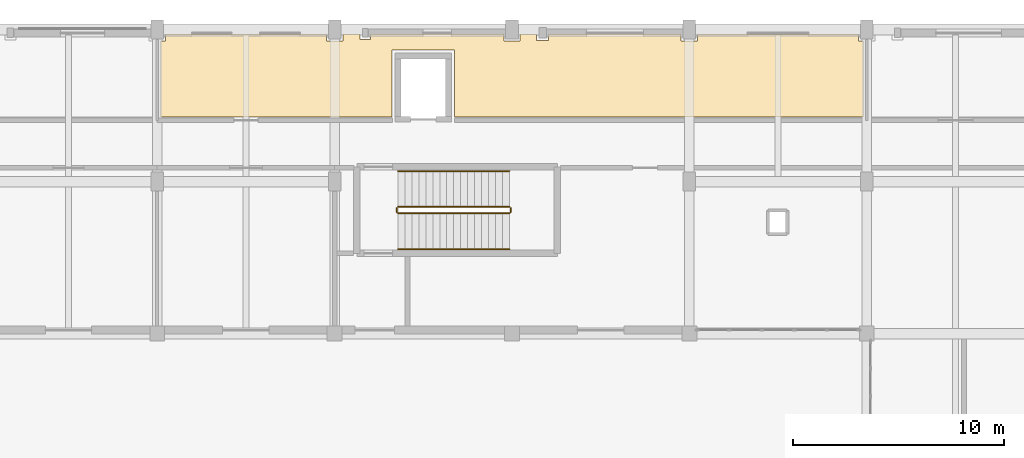
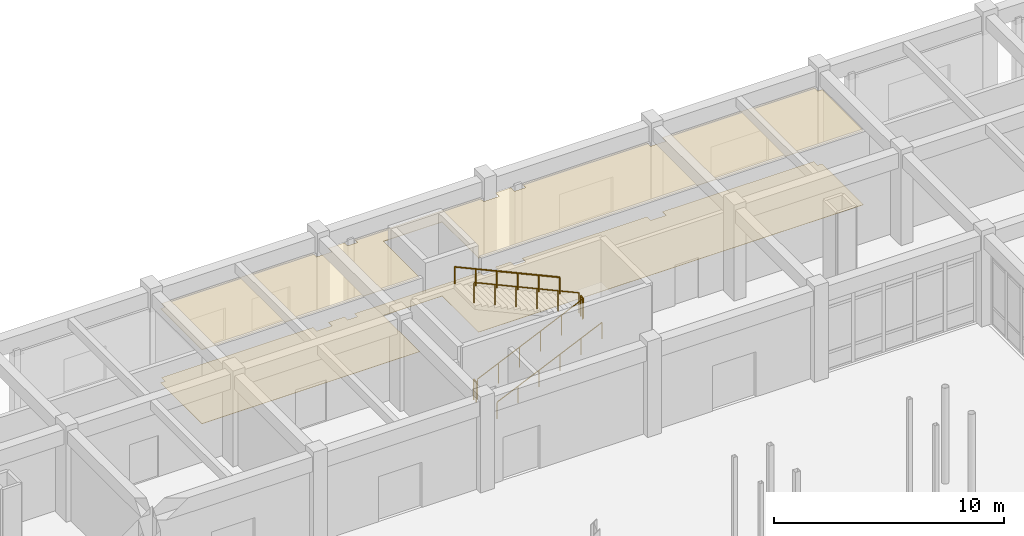
# One storey, part 112 of 121: 6 railings, 2 coverings.
"""IFC4 building model written with IfcOpenShell, lengths in metres."""

from ifc_helpers import new_model, si_unit, direction, frame, origin, origin_2d, place, context, subcontext, project, spatial, polyline, circle, outline, extrude, material, layer, layer_set, type_object, element, save


model = new_model("IFC4")

# Units and contexts
model_context = context("Model", 3, precision=1e-05, world=origin(), true_north=direction((0.0, 1.0)))
body_context = subcontext(model_context, "Body", "Model", "MODEL_VIEW")
ifc_project = project(units=[si_unit("LENGTHUNIT", "METRE"), si_unit("AREAUNIT", "SQUARE_METRE"), si_unit("VOLUMEUNIT", "CUBIC_METRE"), si_unit("PLANEANGLEUNIT", "RADIAN"), si_unit("MASSUNIT", "GRAM", prefix="KILO")], contexts=[model_context])

# Site, building, storey
site_placement = place(None, origin())
site = spatial("IfcSite", under=ifc_project, at=site_placement, CompositionType="ELEMENT")
building_placement = place(site_placement, origin())
building = spatial("IfcBuilding", under=site, at=building_placement, Name="Malvenik Polytechnic", CompositionType="ELEMENT")
storey_placement = place(building_placement, origin())
storey = spatial("IfcBuildingStorey", under=building, at=storey_placement, Name="L00", CompositionType="ELEMENT", Elevation=0.0)

# Coverings
ifc_material_1 = material(Name="Perforated mineral-fibre acoustic suspended ceiling 600x600", Category="gypsum")
ifc_layer_1 = layer(ifc_material_1, 0.02490234375)
ifc_layer_set_1 = layer_set([ifc_layer_1], Name="Perforated mineral-fibre acoustic suspended ceiling 600x600")
covering_type_1 = type_object("IfcCoveringType", Name="ARC-COV-CEIL-AC", PredefinedType="CEILING", material=ifc_layer_set_1)
covering_1_placement = place(storey_placement, frame((0.0, 0.0, 3.93505859375)))
element("IfcCovering", 1, at=covering_1_placement, inside=storey, type_object=covering_type_1, Name="Acoustic Ceiling L00 Wet Chemistry Foundations Laboratory", PredefinedType="CEILING", context=body_context, shape_type="SweptSolid", body=[
    extrude(outline(polyline([(50.010009765625, 129.06005859375), (50.7900390625, 129.06005859375), (50.7900390625, 129.3798828125), (51.60009765625, 129.3798828125), (51.60009765625, 129.1201171875), (52.10009765625, 129.1201171875), (52.10009765625, 129.3798828125), (58.409912109375, 129.3798828125), (58.409912109375, 129.06005859375), (59.18994140625, 129.06005859375), (59.18994140625, 129.3798828125), (59.965087890625, 129.3798828125), (59.965087890625, 129.070068359375), (60.534912109375, 129.070068359375), (60.534912109375, 129.3798828125), (66.81005859375, 129.3798828125), (66.81005859375, 129.06005859375), (67.590087890625, 129.06005859375), (67.590087890625, 129.3798828125), (75.2099609375, 129.3798828125), (75.2099609375, 129.06005859375), (75.43994140625, 129.06005859375), (75.43994140625, 125.4599609375), (56.080078125, 125.4599609375), (56.080078125, 128.6298828125), (53.1201171875, 128.6298828125), (53.1201171875, 125.4599609375), (42.159912109375, 125.4599609375), (42.159912109375, 129.06005859375), (42.389892578125, 129.06005859375), (42.389892578125, 129.3798828125), (50.010009765625, 129.3798828125), (50.010009765625, 129.06005859375)])), origin(), (0.0, 0.0, 1.0), 0.02490234375),
])
ifc_material_2 = material(Name="Chemical-resistant seamless laboratory epoxy resin flooring 15mm", Category="plastic")
ifc_layer_2 = layer(ifc_material_2, 0.014892578125)
ifc_layer_set_2 = layer_set([ifc_layer_2], Name="Chemical-resistant seamless laboratory epoxy resin flooring 15mm")
covering_type_2 = type_object("IfcCoveringType", Name="ARC-COV-FLR-EPX", PredefinedType="FLOORING", material=ifc_layer_set_2)
covering_2_placement = place(storey_placement, origin())
element("IfcCovering", 2, at=covering_2_placement, inside=storey, type_object=covering_type_2, Name="Floor Finish FLR-02 L00 Wet Chemistry Foundations Laboratory", PredefinedType="FLOORING", context=body_context, shape_type="SweptSolid", body=[
    extrude(outline(polyline([(50.010009765625, 129.06005859375), (50.7900390625, 129.06005859375), (50.7900390625, 129.3798828125), (51.60009765625, 129.3798828125), (51.60009765625, 129.1201171875), (52.10009765625, 129.1201171875), (52.10009765625, 129.3798828125), (58.409912109375, 129.3798828125), (58.409912109375, 129.06005859375), (59.18994140625, 129.06005859375), (59.18994140625, 129.3798828125), (59.965087890625, 129.3798828125), (59.965087890625, 129.070068359375), (60.534912109375, 129.070068359375), (60.534912109375, 129.3798828125), (66.81005859375, 129.3798828125), (66.81005859375, 129.06005859375), (67.590087890625, 129.06005859375), (67.590087890625, 129.3798828125), (75.2099609375, 129.3798828125), (75.2099609375, 129.06005859375), (75.43994140625, 129.06005859375), (75.43994140625, 125.4599609375), (56.080078125, 125.4599609375), (56.080078125, 128.6298828125), (53.1201171875, 128.6298828125), (53.1201171875, 125.4599609375), (42.159912109375, 125.4599609375), (42.159912109375, 129.06005859375), (42.389892578125, 129.06005859375), (42.389892578125, 129.3798828125), (50.010009765625, 129.3798828125), (50.010009765625, 129.06005859375)])), origin(), (0.0, 0.0, 1.0), 0.014892578125),
])

# Railings
ifc_material_3 = material(Name="Painted galvanised steel stair well balustrade 1100mm", Category="steel")
ifc_layer_3 = layer(ifc_material_3, 0.050048828125)
ifc_layer_set_3 = layer_set([ifc_layer_3], Name="Painted galvanised steel stair well balustrade 1100mm")
railing_type_1 = type_object("IfcRailingType", Name="ARC-RL-STGD", PredefinedType="BALUSTRADE", material=ifc_layer_set_3)
railing_1_placement = place(storey_placement, frame((53.39990234375, 120.89990234375, 0.14990234375)))
element("IfcRailing", 3, at=railing_1_placement, inside=storey, type_object=railing_type_1, Name="L00 ST-02 stair guard 1", PredefinedType="BALUSTRADE", context=body_context, shape_type="SweptSolid", body=[
    extrude(circle(Radius=0.02392578125, at=origin_2d()), frame((0.0, 0.0, 1.076171875), z_axis=(0.910357827898, 0.0, 0.413821972815), x_axis=(0.0, 1.0, 0.0)), (0.0, 0.0, 1.0), 5.800048828125),
    extrude(circle(Radius=0.02099609375, at=origin_2d()), origin(), (0.0, 0.0, 1.0), 1.052001953125),
    extrude(circle(Radius=0.02099609375, at=origin_2d()), frame((1.055908203125, 0.0, 0.47998046875)), (0.0, 0.0, 1.0), 1.052001953125),
    extrude(circle(Radius=0.02099609375, at=origin_2d()), frame((2.112060546875, 0.0, 0.9599609375)), (0.0, 0.0, 1.0), 1.052001953125),
    extrude(circle(Radius=0.02099609375, at=origin_2d()), frame((3.16796875, 0.0, 1.440185546875)), (0.0, 0.0, 1.0), 1.052001953125),
    extrude(circle(Radius=0.02099609375, at=origin_2d()), frame((4.22412109375, 0.0, 1.920166015625)), (0.0, 0.0, 1.0), 1.052001953125),
    extrude(circle(Radius=0.02099609375, at=origin_2d()), frame((5.280029296875, 0.0, 2.400146484375)), (0.0, 0.0, 1.0), 1.052001953125),
])
railing_2_placement = place(storey_placement, frame((58.72998046875, 120.949951171875, 2.550048828125)))
element("IfcRailing", 4, at=railing_2_placement, inside=storey, type_object=railing_type_1, Name="L00 ST-02 stair guard 2", PredefinedType="BALUSTRADE", context=body_context, shape_type="SweptSolid", body=[
    extrude(circle(Radius=0.02392578125, at=origin_2d()), frame((0.0, 0.0, 1.076171875), z_axis=(0.0, 1.0, 0.0), x_axis=(-1.0, 0.0, 0.0)), (0.0, 0.0, 1.0), 0.199951171875),
    extrude(circle(Radius=0.02099609375, at=origin_2d()), origin(), (0.0, 0.0, 1.0), 1.052001953125),
    extrude(circle(Radius=0.02099609375, at=origin_2d()), frame((0.0, 0.199951171875, 0.0)), (0.0, 0.0, 1.0), 1.052001953125),
])
railing_3_placement = place(storey_placement, frame((58.679931640625, 121.199951171875, 2.699951171875)))
element("IfcRailing", 5, at=railing_3_placement, inside=storey, type_object=railing_type_1, Name="L00 ST-02 stair guard 3", PredefinedType="BALUSTRADE", context=body_context, shape_type="SweptSolid", body=[
    extrude(circle(Radius=0.02392578125, at=origin_2d()), frame((0.0, 0.0, 1.076171875), z_axis=(-0.910357827898, 0.0, 0.413821972815), x_axis=(0.0, -1.0, 0.0)), (0.0, 0.0, 1.0), 5.800048828125),
    extrude(circle(Radius=0.02099609375, at=origin_2d()), origin(), (0.0, 0.0, 1.0), 1.052001953125),
    extrude(circle(Radius=0.02099609375, at=origin_2d()), frame((-1.055908203125, 0.0, 0.47998046875)), (0.0, 0.0, 1.0), 1.052001953125),
    extrude(circle(Radius=0.02099609375, at=origin_2d()), frame((-2.112060546875, 0.0, 0.9599609375)), (0.0, 0.0, 1.0), 1.052001953125),
    extrude(circle(Radius=0.02099609375, at=origin_2d()), frame((-3.16796875, 0.0, 1.440185546875)), (0.0, 0.0, 1.0), 1.052001953125),
    extrude(circle(Radius=0.02099609375, at=origin_2d()), frame((-4.22412109375, 0.0, 1.920166015625)), (0.0, 0.0, 1.0), 1.052001953125),
    extrude(circle(Radius=0.02099609375, at=origin_2d()), frame((-5.280029296875, 0.0, 2.400146484375)), (0.0, 0.0, 1.0), 1.052001953125),
])
railing_4_placement = place(storey_placement, frame((53.35009765625, 120.949951171875, 0.0)))
element("IfcRailing", 6, at=railing_4_placement, inside=storey, type_object=railing_type_1, Name="L00 ST-02 stair guard 4", PredefinedType="BALUSTRADE", context=body_context, shape_type="SweptSolid", body=[
    extrude(circle(Radius=0.02392578125, at=origin_2d()), frame((0.0, 0.0, 1.076171875), z_axis=(0.0, 1.0, 0.0), x_axis=(-1.0, 0.0, 0.0)), (0.0, 0.0, 1.0), 0.199951171875),
    extrude(circle(Radius=0.02099609375, at=origin_2d()), origin(), (0.0, 0.0, 1.0), 1.052001953125),
    extrude(circle(Radius=0.02099609375, at=origin_2d()), frame((0.0, 0.199951171875, 0.0)), (0.0, 0.0, 1.0), 1.052001953125),
])
ifc_material_4 = material(Name="Brushed stainless steel 1.4301 stair wall handrail", Category="steel")
ifc_layer_4 = layer(ifc_material_4, 0.044921875)
ifc_layer_set_4 = layer_set([ifc_layer_4], Name="Brushed stainless steel 1.4301 stair wall handrail")
railing_type_2 = type_object("IfcRailingType", Name="ARC-RL-STHR", PredefinedType="HANDRAIL", material=ifc_layer_set_4)
railing_5_placement = place(storey_placement, frame((53.39990234375, 119.199951171875, 0.14990234375)))
element("IfcRailing", 7, at=railing_5_placement, inside=storey, type_object=railing_type_2, Name="L00 ST-02 stair handrail 1", PredefinedType="HANDRAIL", context=body_context, shape_type="SweptSolid", body=[
    extrude(circle(Radius=0.02392578125, at=origin_2d()), frame((0.0, 0.0, 0.8759765625), z_axis=(0.910357827898, 0.0, 0.413821972815), x_axis=(0.0, 1.0, 0.0)), (0.0, 0.0, 1.0), 5.800048828125),
    extrude(circle(Radius=0.02099609375, at=origin_2d()), origin(), (0.0, 0.0, 1.0), 0.851806640625),
    extrude(circle(Radius=0.02099609375, at=origin_2d()), frame((1.055908203125, 0.0, 0.47998046875)), (0.0, 0.0, 1.0), 0.851806640625),
    extrude(circle(Radius=0.02099609375, at=origin_2d()), frame((2.112060546875, 0.0, 0.9599609375)), (0.0, 0.0, 1.0), 0.851806640625),
    extrude(circle(Radius=0.02099609375, at=origin_2d()), frame((3.16796875, 0.0, 1.440185546875)), (0.0, 0.0, 1.0), 0.851806640625),
    extrude(circle(Radius=0.02099609375, at=origin_2d()), frame((4.22412109375, 0.0, 1.920166015625)), (0.0, 0.0, 1.0), 0.851806640625),
    extrude(circle(Radius=0.02099609375, at=origin_2d()), frame((5.280029296875, 0.0, 2.400146484375)), (0.0, 0.0, 1.0), 0.851806640625),
])
railing_6_placement = place(storey_placement, frame((58.679931640625, 122.89990234375, 2.699951171875)))
element("IfcRailing", 8, at=railing_6_placement, inside=storey, type_object=railing_type_2, Name="L00 ST-02 stair handrail 2", PredefinedType="HANDRAIL", context=body_context, shape_type="SweptSolid", body=[
    extrude(circle(Radius=0.02392578125, at=origin_2d()), frame((0.0, 0.0, 0.8759765625), z_axis=(-0.910357827898, 0.0, 0.413821972815), x_axis=(0.0, -1.0, 0.0)), (0.0, 0.0, 1.0), 5.800048828125),
    extrude(circle(Radius=0.02099609375, at=origin_2d()), origin(), (0.0, 0.0, 1.0), 0.851806640625),
    extrude(circle(Radius=0.02099609375, at=origin_2d()), frame((-1.055908203125, 0.0, 0.47998046875)), (0.0, 0.0, 1.0), 0.851806640625),
    extrude(circle(Radius=0.02099609375, at=origin_2d()), frame((-2.112060546875, 0.0, 0.9599609375)), (0.0, 0.0, 1.0), 0.851806640625),
    extrude(circle(Radius=0.02099609375, at=origin_2d()), frame((-3.16796875, 0.0, 1.440185546875)), (0.0, 0.0, 1.0), 0.851806640625),
    extrude(circle(Radius=0.02099609375, at=origin_2d()), frame((-4.22412109375, 0.0, 1.920166015625)), (0.0, 0.0, 1.0), 0.851806640625),
    extrude(circle(Radius=0.02099609375, at=origin_2d()), frame((-5.280029296875, 0.0, 2.400146484375)), (0.0, 0.0, 1.0), 0.851806640625),
])

save(model, "model.ifc")
